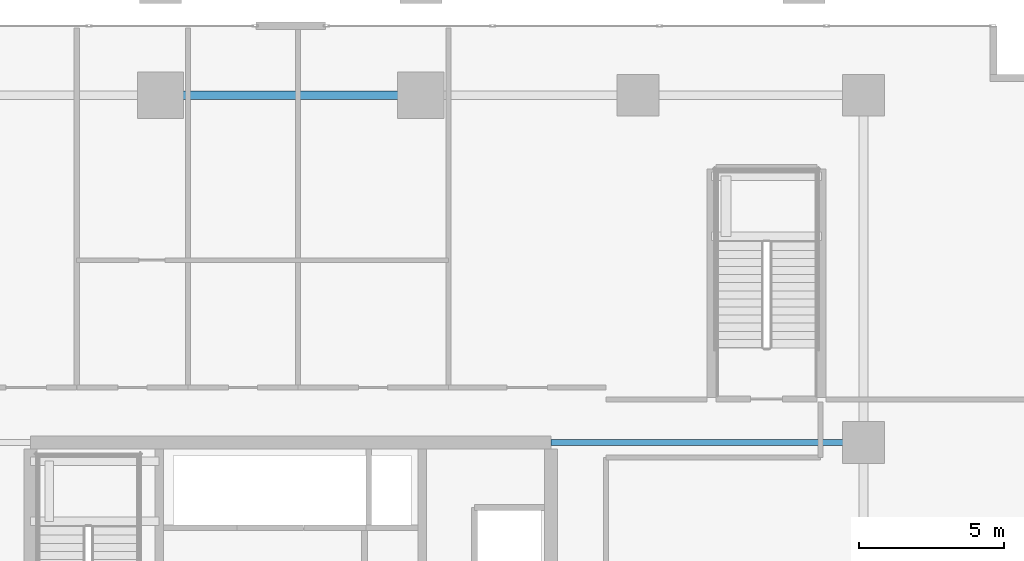
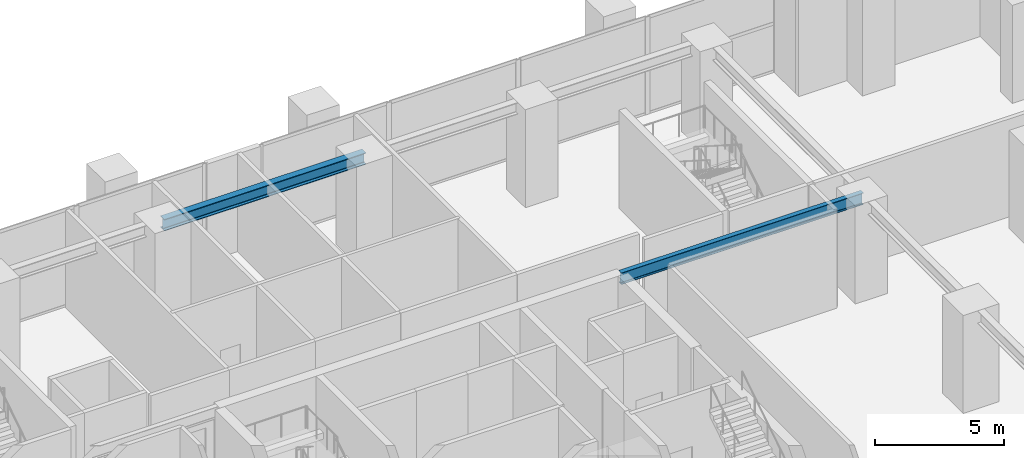
# One storey, part 9 of 20: 2 beams.
"""IFC4 building model written with IfcOpenShell, lengths in metres."""

from ifc_helpers import new_model, si_unit, direction, frame, origin, origin_2d, place, context, subcontext, project, spatial, i_section, extrude, source, transform, mapped, material, material_profile, profile_set, type_object, element, save


model = new_model("IFC4")

# Units and contexts
model_context = context("Model", 3, precision=1e-05, world=origin(), true_north=direction((0.0, 1.0)))
body_context = subcontext(model_context, "Body", "Model", "MODEL_VIEW")
ifc_project = project(units=[si_unit("LENGTHUNIT", "METRE"), si_unit("AREAUNIT", "SQUARE_METRE"), si_unit("VOLUMEUNIT", "CUBIC_METRE"), si_unit("PLANEANGLEUNIT", "RADIAN"), si_unit("MASSUNIT", "GRAM", prefix="KILO")], contexts=[model_context])

# Site, building, storey
site_placement = place(None, origin())
site = spatial("IfcSite", under=ifc_project, at=site_placement, CompositionType="ELEMENT")
building_placement = place(site_placement, origin())
building = spatial("IfcBuilding", under=site, at=building_placement, Name="Serunith Strait Residences", CompositionType="ELEMENT")
storey_placement = place(building_placement, frame((0.0, 0.0, 5.5)))
storey = spatial("IfcBuildingStorey", under=building, at=storey_placement, Name="L01", CompositionType="ELEMENT", Elevation=5.5)

# Beams
ifc_material = material(Name="Steel S355J2", Category="steel")
ifc_material_profile_1 = material_profile(ifc_material, i_section(OverallWidth=0.300048828125, OverallDepth=0.550048828125, WebThickness=0.014892578125, FlangeThickness=0.029052734375, FilletRadius=0.027099609375, at=origin_2d()), Name="HEB 550")
ifc_profile_set_1 = profile_set([ifc_material_profile_1], Name="Steel S355J2")
beam_type_1 = type_object("IfcBeamType", Name="BM-HEB550", PredefinedType="BEAM", material=ifc_profile_set_1)
shared_shape_1 = source(origin(), body_context, "Body", "SweptSolid", [
    extrude(i_section(OverallWidth=0.300048828125, OverallDepth=0.550048828125, WebThickness=0.014892578125, FlangeThickness=0.029052734375, FilletRadius=0.027099609375, at=origin_2d()), origin(), (0.0, 0.0, 1.0), 9.0),
])
beam_1_placement = place(storey_placement, frame((27.89990234375, 45.60009765625, 4.342041015625), z_axis=(1.0, 0.0, 0.0), x_axis=(0.0, 1.0, 0.0)))
element("IfcBeam", 1, at=beam_1_placement, inside=storey, type_object=beam_type_1, Name="BM-L01-08", PredefinedType="BEAM", context=body_context, shape_type="MappedRepresentation", body=[
    mapped(shared_shape_1, transform((0.0, 0.0, 0.0), scale=1.0)),
])
ifc_material_profile_2 = material_profile(ifc_material, i_section(OverallWidth=0.2099609375, OverallDepth=0.550048828125, WebThickness=0.010986328125, FlangeThickness=0.01708984375, FilletRadius=0.02392578125, at=origin_2d()), Name="IPE 550")
ifc_profile_set_2 = profile_set([ifc_material_profile_2], Name="Steel S355J2")
beam_type_2 = type_object("IfcBeamType", Name="BM-IPE550", PredefinedType="BEAM", material=ifc_profile_set_2)
shared_shape_2 = source(origin(), body_context, "Body", "SweptSolid", [
    extrude(i_section(OverallWidth=0.2099609375, OverallDepth=0.550048828125, WebThickness=0.010986328125, FlangeThickness=0.01708984375, FilletRadius=0.02392578125, at=origin_2d()), origin(), (0.0, 0.0, 1.0), 10.800048828125),
])
beam_2_placement = place(storey_placement, frame((41.39990234375, 33.60009765625, 4.342041015625), z_axis=(1.0, 0.0, 0.0), x_axis=(0.0, 1.0, 0.0)))
element("IfcBeam", 2, at=beam_2_placement, inside=storey, type_object=beam_type_2, Name="BM-L01-22", PredefinedType="BEAM", context=body_context, shape_type="MappedRepresentation", body=[
    mapped(shared_shape_2, transform((0.0, 0.0, 0.0), scale=1.0)),
])

save(model, "model.ifc")
